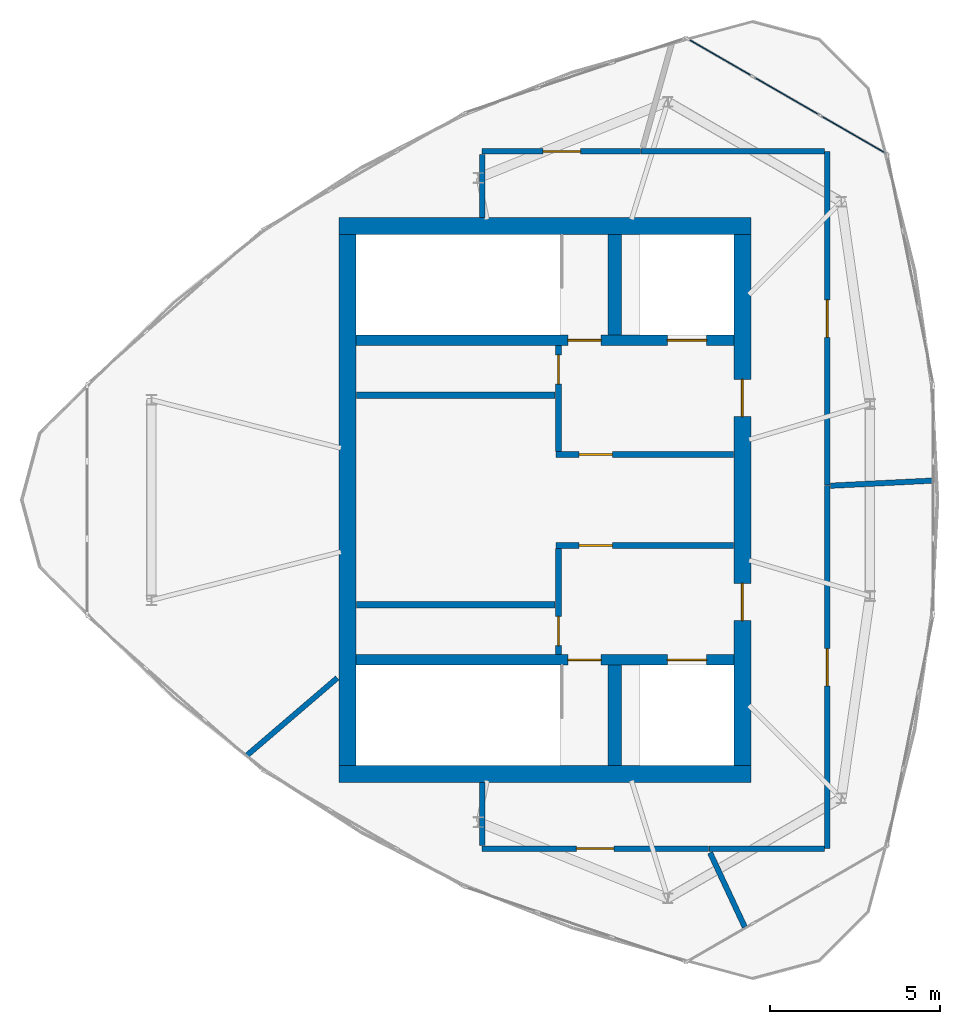
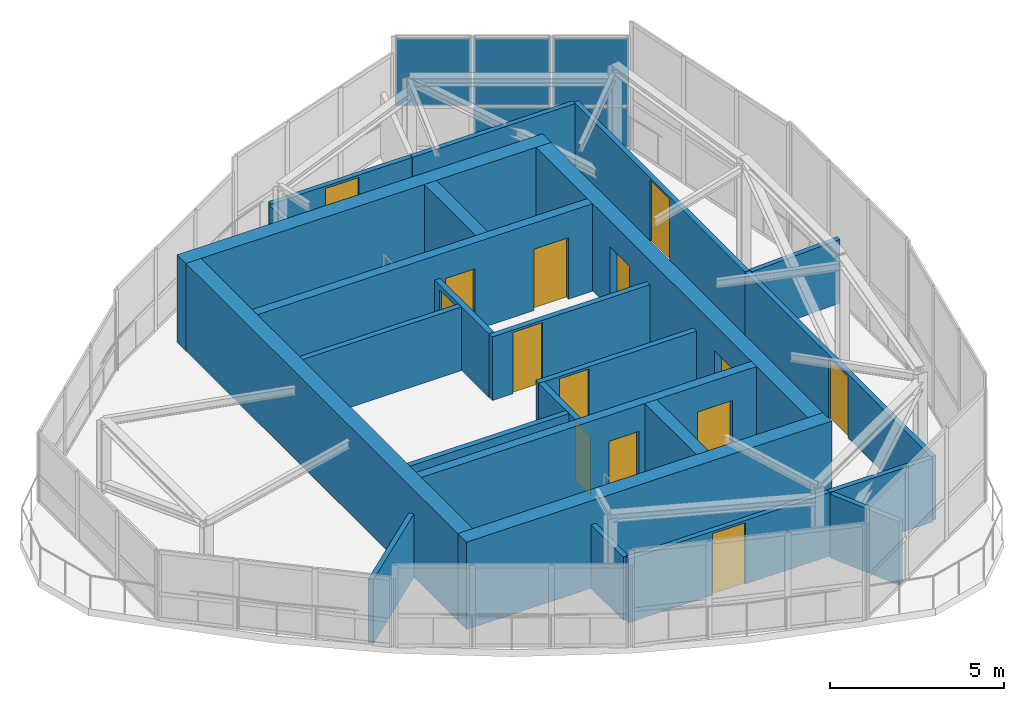
# One storey, part 7 of 9: 25 walls, 14 doors, 5 plates, 14 openings, 1 element without a shape of its own.
"""IFC4 building model written with IfcOpenShell, lengths in metres."""

from ifc_helpers import new_model, si_unit, direction, frame, frame_2d, origin, origin_2d, place, context, subcontext, project, spatial, rectangle, extrude, source, transform, mapped, material, layer, layer_set, type_object, element, fill, aggregate, save


model = new_model("IFC4")

# Units and contexts
model_context = context("Model", 3, precision=1e-05, world=origin(), true_north=direction((0.0, 1.0)))
body_context = subcontext(model_context, "Body", "Model", "MODEL_VIEW")
ifc_project = project(units=[si_unit("LENGTHUNIT", "METRE"), si_unit("AREAUNIT", "SQUARE_METRE"), si_unit("VOLUMEUNIT", "CUBIC_METRE"), si_unit("PLANEANGLEUNIT", "RADIAN"), si_unit("MASSUNIT", "GRAM", prefix="KILO")], contexts=[model_context])

# Site, building, storey
site_placement = place(None, origin())
site = spatial("IfcSite", under=ifc_project, at=site_placement, CompositionType="ELEMENT")
building_placement = place(site_placement, origin())
building = spatial("IfcBuilding", under=site, at=building_placement, Name="Qafzar Sky-Pleat Residences", CompositionType="ELEMENT")
storey_placement = place(building_placement, frame((0.0, 0.0, 274.699951171875)))
storey = spatial("IfcBuildingStorey", under=building, at=storey_placement, Name="L81 Crown", CompositionType="ELEMENT", Elevation=274.699951171875)

# Curtain wall, plates
ifc_material_1 = material(Name="Anodised bronze aluminium framing", Category="aluminium")
ifc_layer_1 = layer(ifc_material_1, 0.179931640625)
ifc_layer_set_1 = layer_set([ifc_layer_1], Name="Anodised bronze aluminium framing")
curtain_wall_type = type_object("IfcCurtainWallType", Name="CW-SYS-06", PredefinedType="NOTDEFINED", material=ifc_layer_set_1)
curtain_wall_placement = place(storey_placement, origin())
curtain_wall = element("IfcCurtainWall", 1, at=curtain_wall_placement, inside=storey, type_object=curtain_wall_type, Name="L81 Crown CW-06 Curtain Wall CW-CROWN-06-09", PredefinedType="NOTDEFINED")
ifc_material_2 = material(Name="Solar-control double low-E glazing", Category="glass")
ifc_layer_2 = layer(ifc_material_2, 0.02587890625)
ifc_layer_set_2 = layer_set([ifc_layer_2], Name="Solar-control double low-E glazing")
plate_type = type_object("IfcPlateType", Name="CWP-06", PredefinedType="CURTAIN_PANEL", material=ifc_layer_set_2)
shared_shape_1 = source(origin(), body_context, "Body", "SweptSolid", [
    extrude(rectangle(XDim=2.18701171875, YDim=0.02587890625, at=origin_2d()), origin(), (0.0, 0.0, 1.0), 1.40869140625),
])
plate_1_placement = place(storey_placement, frame((39.416259765625, 36.74609375, 0.06005859375), z_axis=(0.0, 0.0, 1.0), x_axis=(-0.866025669537, 0.499999539703, 0.0)))
plate_1 = element("IfcPlate", 2, at=plate_1_placement, type_object=plate_type, Name="CW-06 panel 1.1", PredefinedType="CURTAIN_PANEL", context=body_context, shape_type="MappedRepresentation", body=[
    mapped(shared_shape_1, transform((0.0, 0.0, 0.0), x_axis=(1.0, 0.0, 0.0), y_axis=(0.0, 1.0, 0.0), z_axis=(0.0, 0.0, 1.0), scale=1.0)),
])
shared_shape_2 = source(origin(), body_context, "Body", "SweptSolid", [
    extrude(rectangle(XDim=2.18701171875, YDim=0.02587890625, at=origin_2d()), origin(), (0.0, 0.0, 1.0), 2.355224609375),
])
plate_2_placement = place(storey_placement, frame((39.416259765625, 36.74609375, 1.52880859375), z_axis=(0.0, 0.0, 1.0), x_axis=(-0.866025669537, 0.499999539703, 0.0)))
plate_2 = element("IfcPlate", 3, at=plate_2_placement, type_object=plate_type, Name="CW-06 panel 1.2", PredefinedType="CURTAIN_PANEL", context=body_context, shape_type="MappedRepresentation", body=[
    mapped(shared_shape_2, transform((0.0, 0.0, 0.0), x_axis=(1.0, 0.0, 0.0), y_axis=(0.0, 1.0, 0.0), z_axis=(0.0, 0.0, 1.0), scale=1.0)),
])
plate_3_placement = place(storey_placement, frame((35.498291015625, 39.008056640625, 1.52880859375), z_axis=(0.0, 0.0, 1.0), x_axis=(-0.866025669537, 0.499999539703, 0.0)))
plate_3 = element("IfcPlate", 4, at=plate_3_placement, type_object=plate_type, Name="CW-06 panel 3.2", PredefinedType="CURTAIN_PANEL", context=body_context, shape_type="MappedRepresentation", body=[
    mapped(shared_shape_2, transform((0.0, 0.0, 0.0), x_axis=(1.0, 0.0, 0.0), y_axis=(0.0, 1.0, 0.0), z_axis=(0.0, 0.0, 1.0), scale=1.0)),
])
shared_shape_3 = source(origin(), body_context, "Body", "SweptSolid", [
    extrude(rectangle(XDim=2.217041015625, YDim=0.02587890625, at=origin_2d()), origin(), (0.0, 0.0, 1.0), 1.40869140625),
])
plate_4_placement = place(storey_placement, frame((37.457275390625, 37.877197265625, 0.06005859375), z_axis=(0.0, 0.0, 1.0), x_axis=(-0.866025669537, 0.499999539703, 0.0)))
plate_4 = element("IfcPlate", 5, at=plate_4_placement, type_object=plate_type, Name="CW-06 panel 2.1", PredefinedType="CURTAIN_PANEL", context=body_context, shape_type="MappedRepresentation", body=[
    mapped(shared_shape_3, transform((0.0, 0.0, 0.0), x_axis=(1.0, 0.0, 0.0), y_axis=(0.0, 1.0, 0.0), z_axis=(0.0, 0.0, 1.0), scale=1.0)),
])
shared_shape_4 = source(origin(), body_context, "Body", "SweptSolid", [
    extrude(rectangle(XDim=2.217041015625, YDim=0.02587890625, at=origin_2d()), origin(), (0.0, 0.0, 1.0), 2.355224609375),
])
plate_5_placement = place(storey_placement, frame((37.457275390625, 37.877197265625, 1.52880859375), z_axis=(0.0, 0.0, 1.0), x_axis=(-0.866025669537, 0.499999539703, 0.0)))
plate_5 = element("IfcPlate", 6, at=plate_5_placement, type_object=plate_type, Name="CW-06 panel 2.2", PredefinedType="CURTAIN_PANEL", context=body_context, shape_type="MappedRepresentation", body=[
    mapped(shared_shape_4, transform((0.0, 0.0, 0.0), x_axis=(1.0, 0.0, 0.0), y_axis=(0.0, 1.0, 0.0), z_axis=(0.0, 0.0, 1.0), scale=1.0)),
])
aggregate(curtain_wall, [plate_1, plate_2, plate_4, plate_5, plate_3])

# Wall, opening, door
ifc_material_3 = material(Name="Acoustic gypsum plasterboard partition", Category="gypsum")
ifc_layer_3 = layer(ifc_material_3, 0.159912109375)
ifc_layer_set_3 = layer_set([ifc_layer_3], Name="Acoustic gypsum plasterboard partition")
wall_type_1 = type_object("IfcWallType", Name="PART-COR-160", PredefinedType="PARTITIONING", material=ifc_layer_set_3)
wall_1_placement = place(storey_placement, frame((38.64990234375, 26.429931640625, 0.0), z_axis=(0.0, 0.0, 1.0), x_axis=(0.0, -1.0, 0.0)))
wall_1 = element("IfcWall", 7, at=wall_1_placement, inside=storey, type_object=wall_type_1, Name="L81 Crown Partition Wall PART-L81_Crown-PW-001", PredefinedType="PARTITIONING", context=body_context, shape_type="SweptSolid", body=[
    extrude(rectangle(XDim=10.679931640625, YDim=0.159912109375, at=frame_2d((5.33984375, 0.0))), origin(), (0.0, 0.0, 1.0), 2.23046875),
])
opening_1_placement = place(wall_1_placement, frame((4.797607421875, 0.0, 0.0)))
opening_1 = element("IfcOpeningElement", 8, at=opening_1_placement, cuts=wall_1, Name="Opening ID-02", PredefinedType="OPENING", context=body_context, shape_type="SweptSolid", body=[
    extrude(rectangle(XDim=1.10009765625, YDim=2.14990234375, at=frame_2d((0.550048828125, 1.074951171875))), frame((0.0, 0.08984375, 0.0), z_axis=(0.0, -1.0, 0.0), x_axis=(1.0, 0.0, 0.0)), (0.0, 0.0, 1.0), 0.179931640625),
])
ifc_material_4 = material(Name="Timber-faced fire door", Category="wood")
door_type_1 = type_object("IfcDoorType", Name="DR-FFL-1100", OperationType="NOTDEFINED", PredefinedType="DOOR", material=ifc_material_4)
shared_shape_5 = source(origin(), body_context, "Body", "SweptSolid", [
    extrude(rectangle(XDim=1.10009765625, YDim=2.14990234375, at=frame_2d((0.550048828125, 1.074951171875))), frame((0.0, 0.02490234375, 0.0), z_axis=(0.0, -1.0, 0.0), x_axis=(1.0, 0.0, 0.0)), (0.0, 0.0, 1.0), 0.050048828125),
])
door_1_placement = place(opening_1_placement, origin())
door_1 = element("IfcDoor", 9, at=door_1_placement, inside=storey, type_object=door_type_1, Name="L81 Crown Crown BMS and Telemetry Mechanical Room Door", OperationType="SINGLE_SWING_RIGHT", OverallHeight=2.14990234375, OverallWidth=1.10009765625, PredefinedType="DOOR", context=body_context, shape_type="MappedRepresentation", body=[
    mapped(shared_shape_5, transform((0.0, 0.0, 0.0), x_axis=(1.0, 0.0, 0.0), y_axis=(0.0, 1.0, 0.0), z_axis=(0.0, 0.0, 1.0), scale=1.0)),
])
fill(opening_1, door_1)

wall_2_placement = place(storey_placement, frame((38.64990234375, 36.25, 0.0), z_axis=(0.0, 0.0, 1.0), x_axis=(0.0, -1.0, 0.0)))
wall_2 = element("IfcWall", 10, at=wall_2_placement, inside=storey, type_object=wall_type_1, Name="L81 Crown Partition Wall PART-L81_Crown-PW-002", PredefinedType="PARTITIONING", context=body_context, shape_type="SweptSolid", body=[
    extrude(rectangle(XDim=9.804931640625, YDim=0.159912109375, at=frame_2d((4.90234375, 0.0))), origin(), (0.0, 0.0, 1.0), 2.23046875),
])
opening_2_placement = place(wall_2_placement, frame((4.367431640625, 0.0, 0.0)))
opening_2 = element("IfcOpeningElement", 11, at=opening_2_placement, cuts=wall_2, Name="Opening ID-02", PredefinedType="OPENING", context=body_context, shape_type="SweptSolid", body=[
    extrude(rectangle(XDim=1.10009765625, YDim=2.14990234375, at=frame_2d((0.550048828125, 1.074951171875))), frame((0.0, 0.08984375, 0.0), z_axis=(0.0, -1.0, 0.0), x_axis=(1.0, 0.0, 0.0)), (0.0, 0.0, 1.0), 0.179931640625),
])
door_2_placement = place(opening_2_placement, origin())
door_2 = element("IfcDoor", 12, at=door_2_placement, inside=storey, type_object=door_type_1, Name="L81 Crown Crown Emergency Standby Switchgear Plant Room Door", OperationType="SINGLE_SWING_LEFT", OverallHeight=2.14990234375, OverallWidth=1.10009765625, PredefinedType="DOOR", context=body_context, shape_type="MappedRepresentation", body=[
    mapped(shared_shape_5, transform((0.0, 0.0, 0.0), x_axis=(1.0, 0.0, 0.0), y_axis=(0.0, 1.0, 0.0), z_axis=(0.0, 0.0, 1.0), scale=1.0)),
])
fill(opening_2, door_2)

wall_3_placement = place(storey_placement, frame((28.5, 15.75, 0.0), z_axis=(0.0, 0.0, 1.0), x_axis=(1.0, 0.0, 0.0)))
wall_3 = element("IfcWall", 13, at=wall_3_placement, inside=storey, type_object=wall_type_1, Name="L81 Crown Partition Wall PART-L81_Crown-PW-003", PredefinedType="PARTITIONING", context=body_context, shape_type="SweptSolid", body=[
    extrude(rectangle(XDim=6.662109375, YDim=0.159912109375, at=frame_2d((3.3310546875, 0.0))), origin(), (0.0, 0.0, 1.0), 2.23046875),
])
opening_3_placement = place(wall_3_placement, frame((2.77294921875, 0.0, 0.0)))
opening_3 = element("IfcOpeningElement", 14, at=opening_3_placement, cuts=wall_3, Name="Opening ID-02", PredefinedType="OPENING", context=body_context, shape_type="SweptSolid", body=[
    extrude(rectangle(XDim=1.10009765625, YDim=2.14990234375, at=frame_2d((0.550048828125, 1.074951171875))), frame((0.0, 0.08984375, 0.0), z_axis=(0.0, -1.0, 0.0), x_axis=(1.0, 0.0, 0.0)), (0.0, 0.0, 1.0), 0.179931640625),
])
door_3_placement = place(opening_3_placement, origin())
door_3 = element("IfcDoor", 15, at=door_3_placement, inside=storey, type_object=door_type_1, Name="L81 Crown Crown Faceted Curtain-Wall Maintenance Plant Room Door", OperationType="SINGLE_SWING_RIGHT", OverallHeight=2.14990234375, OverallWidth=1.10009765625, PredefinedType="DOOR", context=body_context, shape_type="MappedRepresentation", body=[
    mapped(shared_shape_5, transform((0.0, 0.0, 0.0), x_axis=(1.0, 0.0, 0.0), y_axis=(0.0, 1.0, 0.0), z_axis=(0.0, 0.0, 1.0), scale=1.0)),
])
fill(opening_3, door_3)

wall_4_placement = place(storey_placement, frame((33.1650390625, 36.25, 0.0), z_axis=(0.0, 0.0, 1.0), x_axis=(-1.0, 0.0, 0.0)))
wall_4 = element("IfcWall", 16, at=wall_4_placement, inside=storey, type_object=wall_type_1, Name="L81 Crown Partition Wall PART-L81_Crown-PW-004", PredefinedType="PARTITIONING", context=body_context, shape_type="SweptSolid", body=[
    extrude(rectangle(XDim=4.6650390625, YDim=0.159912109375, at=frame_2d((2.33251953125, 0.0))), origin(), (0.0, 0.0, 1.0), 2.23046875),
])
opening_4_placement = place(wall_4_placement, frame((1.76708984375, 0.0, 0.0)))
opening_4 = element("IfcOpeningElement", 17, at=opening_4_placement, cuts=wall_4, Name="Opening ID-02", PredefinedType="OPENING", context=body_context, shape_type="SweptSolid", body=[
    extrude(rectangle(XDim=1.10009765625, YDim=2.14990234375, at=frame_2d((0.550048828125, 1.074951171875))), frame((0.0, 0.08984375, 0.0), z_axis=(0.0, -1.0, 0.0), x_axis=(1.0, 0.0, 0.0)), (0.0, 0.0, 1.0), 0.179931640625),
])
door_4_placement = place(opening_4_placement, origin())
door_4 = element("IfcDoor", 18, at=door_4_placement, inside=storey, type_object=door_type_1, Name="L81 Crown Crown Cooling Tower and Heat Recovery Plant Room Door", OperationType="SINGLE_SWING_LEFT", OverallHeight=2.14990234375, OverallWidth=1.10009765625, PredefinedType="DOOR", context=body_context, shape_type="MappedRepresentation", body=[
    mapped(shared_shape_5, transform((0.0, 0.0, 0.0), x_axis=(1.0, 0.0, 0.0), y_axis=(0.0, 1.0, 0.0), z_axis=(0.0, 0.0, 1.0), scale=1.0)),
])
fill(opening_4, door_4)

# Walls
wall_5_placement = place(storey_placement, frame((33.179931640625, 36.25, 0.0), z_axis=(0.0, 0.0, 1.0), x_axis=(1.0, 0.0, 0.0)))
element("IfcWall", 19, at=wall_5_placement, inside=storey, type_object=wall_type_1, Name="L81 Crown Partition Wall PART-L81_Crown-PW-005", PredefinedType="PARTITIONING", context=body_context, shape_type="SweptSolid", body=[
    extrude(rectangle(XDim=5.382080078125, YDim=0.159912109375, at=frame_2d((2.69091796875, 0.0))), origin(), (0.0, 0.0, 1.0), 2.23046875),
])
wall_6_placement = place(storey_placement, frame((21.584716796875, 18.490478515625, 0.0), z_axis=(0.0, 0.0, 1.0), x_axis=(0.75939941165, 0.650624725619, 0.0)))
element("IfcWall", 20, at=wall_6_placement, inside=storey, type_object=wall_type_1, Name="L81 Crown Partition Wall PART-L81_Crown-PW-006", PredefinedType="PARTITIONING", context=body_context, shape_type="SweptSolid", body=[
    extrude(rectangle(XDim=3.4990234375, YDim=0.159912109375, at=frame_2d((1.74951171875, 0.0))), origin(), (0.0, 0.0, 1.0), 2.23046875),
])
wall_7_placement = place(storey_placement, frame((35.177001953125, 15.75, 0.0), z_axis=(0.0, 0.0, 1.0), x_axis=(1.0, 0.0, 0.0)))
element("IfcWall", 21, at=wall_7_placement, inside=storey, type_object=wall_type_1, Name="L81 Crown Partition Wall PART-L81_Crown-PW-007", PredefinedType="PARTITIONING", context=body_context, shape_type="SweptSolid", body=[
    extrude(rectangle(XDim=3.385009765625, YDim=0.159912109375, at=frame_2d((1.6923828125, 0.0))), origin(), (0.0, 0.0, 1.0), 2.23046875),
])
wall_8_placement = place(storey_placement, frame((38.741943359375, 26.419677734375, 0.0), z_axis=(0.0, 0.0, 1.0), x_axis=(0.998747676097, 0.050030785433, 0.0)))
element("IfcWall", 22, at=wall_8_placement, inside=storey, type_object=wall_type_1, Name="L81 Crown Partition Wall PART-L81_Crown-PW-009", PredefinedType="PARTITIONING", context=body_context, shape_type="SweptSolid", body=[
    extrude(rectangle(XDim=3.005859375, YDim=0.159912109375, at=frame_2d((1.5029296875, 0.0))), origin(), (0.0, 0.0, 1.0), 2.23046875),
])
wall_9_placement = place(storey_placement, frame((35.20263671875, 15.62890625, 0.0), z_axis=(0.0, 0.0, 1.0), x_axis=(0.423632901081, -0.905833961122, 0.0)))
element("IfcWall", 23, at=wall_9_placement, inside=storey, type_object=wall_type_1, Name="L81 Crown Partition Wall PART-L81_Crown-PW-010", PredefinedType="PARTITIONING", context=body_context, shape_type="SweptSolid", body=[
    extrude(rectangle(XDim=2.41357421875, YDim=0.159912109375, at=frame_2d((1.206787109375, 0.0))), origin(), (0.0, 0.0, 1.0), 2.23046875),
])
for number, where, z_axis, x_axis, name in (
    (24, (28.5, 34.30810546875, 0.0), (0.0, 0.0, 1.0), (0.0, 1.0, 0.0), "L81 Crown Partition Wall PART-L81_Crown-PW-011"),
    (25, (28.5, 15.837890625, 0.0), (0.0, 0.0, 1.0), (0.0, 1.0, 0.0), "L81 Crown Partition Wall PART-L81_Crown-PW-012"),
):
    element("IfcWall", number, at=place(storey_placement, frame(where, z_axis=z_axis, x_axis=x_axis)), inside=storey, type_object=wall_type_1, Name=name, PredefinedType="PARTITIONING", context=body_context, shape_type="SweptSolid", body=[
        extrude(rectangle(XDim=1.85400390625, YDim=0.159912109375, at=frame_2d((0.927001953125, 0.0))), origin(), (0.0, 0.0, 1.0), 2.23046875),
    ])

# Wall, opening, door
ifc_material_5 = material(Name="Concrete blockwork partition", Category="masonry")
ifc_layer_4 = layer(ifc_material_5, 0.179931640625)
ifc_layer_set_4 = layer_set([ifc_layer_4], Name="Concrete blockwork partition")
wall_type_2 = type_object("IfcWallType", Name="PART-SHAFT-180", PredefinedType="PARTITIONING", material=ifc_layer_set_4)
wall_10_placement = place(storey_placement, frame((30.75, 21.4599609375, 0.0), z_axis=(0.0, 0.0, 1.0), x_axis=(0.0, 1.0, 0.0)))
wall_10 = element("IfcWall", 26, at=wall_10_placement, inside=storey, type_object=wall_type_2, Name="L81 Crown Partition Wall PART-L81_Crown-FFL1-W", PredefinedType="PARTITIONING", context=body_context, shape_type="SweptSolid", body=[
    extrude(rectangle(XDim=3.110107421875, YDim=0.179931640625, at=frame_2d((1.55517578125, 0.0))), origin(), (0.0, 0.0, 1.0), 2.23046875),
])
opening_5_placement = place(wall_10_placement, frame((0.260009765625, 0.0, 0.0)))
opening_5 = element("IfcOpeningElement", 27, at=opening_5_placement, cuts=wall_10, Name="Opening ID-09", PredefinedType="OPENING", context=body_context, shape_type="SweptSolid", body=[
    extrude(rectangle(XDim=0.860107421875, YDim=2.050048828125, at=frame_2d((0.43017578125, 1.02490234375))), frame((0.0, 0.10009765625, 0.0), z_axis=(0.0, -1.0, 0.0), x_axis=(1.0, 0.0, 0.0)), (0.0, 0.0, 1.0), 0.199951171875),
])
door_type_2 = type_object("IfcDoorType", Name="DR-SVC-860", OperationType="NOTDEFINED", PredefinedType="DOOR", material=ifc_material_4)
shared_shape_6 = source(origin(), body_context, "Body", "SweptSolid", [
    extrude(rectangle(XDim=0.860107421875, YDim=2.050048828125, at=frame_2d((0.43017578125, 1.02490234375))), frame((0.0, 0.02490234375, 0.0), z_axis=(0.0, -1.0, 0.0), x_axis=(1.0, 0.0, 0.0)), (0.0, 0.0, 1.0), 0.050048828125),
])
door_5_placement = place(opening_5_placement, origin())
door_5 = element("IfcDoor", 28, at=door_5_placement, inside=storey, type_object=door_type_2, Name="L81 Crown South Core Cupboard Door", OperationType="SINGLE_SWING_RIGHT", OverallHeight=2.050048828125, OverallWidth=0.860107421875, PredefinedType="DOOR", context=body_context, shape_type="MappedRepresentation", body=[
    mapped(shared_shape_6, transform((0.0, 0.0, 0.0), x_axis=(1.0, 0.0, 0.0), y_axis=(0.0, 1.0, 0.0), z_axis=(0.0, 0.0, 1.0), scale=1.0)),
])
fill(opening_5, door_5)

wall_11_placement = place(storey_placement, frame((30.669921875, 24.659912109375, 0.0), z_axis=(0.0, 0.0, 1.0), x_axis=(1.0, 0.0, 0.0)))
wall_11 = element("IfcWall", 29, at=wall_11_placement, inside=storey, type_object=wall_type_2, Name="L81 Crown Partition Wall PART-L81_Crown-FFL1-N", PredefinedType="PARTITIONING", context=body_context, shape_type="SweptSolid", body=[
    extrude(rectangle(XDim=5.219970703125, YDim=0.179931640625, at=frame_2d((2.60986328125, 0.0))), origin(), (0.0, 0.0, 1.0), 2.23046875),
])
opening_6_placement = place(wall_11_placement, frame((0.679931640625, 0.0, 0.0)))
opening_6 = element("IfcOpeningElement", 30, at=opening_6_placement, cuts=wall_11, Name="Opening ID-01", PredefinedType="OPENING", context=body_context, shape_type="SweptSolid", body=[
    extrude(rectangle(XDim=0.97998046875, YDim=2.14990234375, at=frame_2d((0.489990234375, 1.074951171875))), frame((0.0, 0.10009765625, 0.0), z_axis=(0.0, -1.0, 0.0), x_axis=(1.0, 0.0, 0.0)), (0.0, 0.0, 1.0), 0.199951171875),
])
door_type_3 = type_object("IfcDoorType", Name="DR-STAIR-980", OperationType="NOTDEFINED", PredefinedType="DOOR", material=ifc_material_4)
shared_shape_7 = source(origin(), body_context, "Body", "SweptSolid", [
    extrude(rectangle(XDim=0.97998046875, YDim=2.14990234375, at=frame_2d((0.489990234375, 1.074951171875))), frame((0.0, 0.02490234375, 0.0), z_axis=(0.0, -1.0, 0.0), x_axis=(1.0, 0.0, 0.0)), (0.0, 0.0, 1.0), 0.050048828125),
])
door_6_placement = place(opening_6_placement, origin())
door_6 = element("IfcDoor", 31, at=door_6_placement, inside=storey, type_object=door_type_3, Name="L81 Crown Lift Lobby to South Firefighting Lobby Door", OperationType="SINGLE_SWING_LEFT", OverallHeight=2.14990234375, OverallWidth=0.97998046875, PredefinedType="DOOR", context=body_context, shape_type="MappedRepresentation", body=[
    mapped(shared_shape_7, transform((0.0, 0.0, 0.0), x_axis=(1.0, 0.0, 0.0), y_axis=(0.0, 1.0, 0.0), z_axis=(0.0, 0.0, 1.0), scale=1.0)),
])
fill(opening_6, door_6)

wall_12_placement = place(storey_placement, frame((30.75, 27.429931640625, 0.0), z_axis=(0.0, 0.0, 1.0), x_axis=(0.0, 1.0, 0.0)))
wall_12 = element("IfcWall", 32, at=wall_12_placement, inside=storey, type_object=wall_type_2, Name="L81 Crown Partition Wall PART-L81_Crown-FFL2-W", PredefinedType="PARTITIONING", context=body_context, shape_type="SweptSolid", body=[
    extrude(rectangle(XDim=3.110107421875, YDim=0.179931640625, at=frame_2d((1.55517578125, 0.0))), origin(), (0.0, 0.0, 1.0), 2.23046875),
])
opening_7_placement = place(wall_12_placement, frame((1.97998046875, 0.0, 0.0)))
opening_7 = element("IfcOpeningElement", 33, at=opening_7_placement, cuts=wall_12, Name="Opening ID-09", PredefinedType="OPENING", context=body_context, shape_type="SweptSolid", body=[
    extrude(rectangle(XDim=0.860107421875, YDim=2.050048828125, at=frame_2d((0.43017578125, 1.02490234375))), frame((0.0, 0.10009765625, 0.0), z_axis=(0.0, -1.0, 0.0), x_axis=(1.0, 0.0, 0.0)), (0.0, 0.0, 1.0), 0.199951171875),
])
door_7_placement = place(opening_7_placement, origin())
door_7 = element("IfcDoor", 34, at=door_7_placement, inside=storey, type_object=door_type_2, Name="L81 Crown North Core Cupboard Door", OperationType="SINGLE_SWING_RIGHT", OverallHeight=2.050048828125, OverallWidth=0.860107421875, PredefinedType="DOOR", context=body_context, shape_type="MappedRepresentation", body=[
    mapped(shared_shape_6, transform((0.0, 0.0, 0.0), x_axis=(1.0, 0.0, 0.0), y_axis=(0.0, 1.0, 0.0), z_axis=(0.0, 0.0, 1.0), scale=1.0)),
])
fill(opening_7, door_7)

wall_13_placement = place(storey_placement, frame((30.669921875, 27.340087890625, 0.0), z_axis=(0.0, 0.0, 1.0), x_axis=(1.0, 0.0, 0.0)))
wall_13 = element("IfcWall", 35, at=wall_13_placement, inside=storey, type_object=wall_type_2, Name="L81 Crown Partition Wall PART-L81_Crown-FFL2-S", PredefinedType="PARTITIONING", context=body_context, shape_type="SweptSolid", body=[
    extrude(rectangle(XDim=5.219970703125, YDim=0.179931640625, at=frame_2d((2.60986328125, 0.0))), origin(), (0.0, 0.0, 1.0), 2.23046875),
])
opening_8_placement = place(wall_13_placement, frame((0.679931640625, 0.0, 0.0)))
opening_8 = element("IfcOpeningElement", 36, at=opening_8_placement, cuts=wall_13, Name="Opening ID-01", PredefinedType="OPENING", context=body_context, shape_type="SweptSolid", body=[
    extrude(rectangle(XDim=0.97998046875, YDim=2.14990234375, at=frame_2d((0.489990234375, 1.074951171875))), frame((0.0, 0.10009765625, 0.0), z_axis=(0.0, -1.0, 0.0), x_axis=(1.0, 0.0, 0.0)), (0.0, 0.0, 1.0), 0.199951171875),
])
door_8_placement = place(opening_8_placement, origin())
door_8 = element("IfcDoor", 37, at=door_8_placement, inside=storey, type_object=door_type_3, Name="L81 Crown Lift Lobby to North Firefighting Lobby Door", OperationType="SINGLE_SWING_LEFT", OverallHeight=2.14990234375, OverallWidth=0.97998046875, PredefinedType="DOOR", context=body_context, shape_type="MappedRepresentation", body=[
    mapped(shared_shape_7, transform((0.0, 0.0, 0.0), x_axis=(1.0, 0.0, 0.0), y_axis=(0.0, 1.0, 0.0), z_axis=(0.0, 0.0, 1.0), scale=1.0)),
])
fill(opening_8, door_8)

# Walls
for number, where, z_axis, x_axis, name in (
    (38, (24.81005859375, 22.919921875, 0.0), (0.0, 0.0, 1.0), (1.0, 0.0, 0.0), "L81 Crown Partition Wall PART-L81_Crown-P13-S"),
    (39, (24.81005859375, 29.080078125, 0.0), (0.0, 0.0, 1.0), (1.0, 0.0, 0.0), "L81 Crown Partition Wall PART-L81_Crown-P46-N"),
):
    element("IfcWall", number, at=place(storey_placement, frame(where, z_axis=z_axis, x_axis=x_axis)), inside=storey, type_object=wall_type_2, Name=name, PredefinedType="PARTITIONING", context=body_context, shape_type="SweptSolid", body=[
        extrude(rectangle(XDim=5.83984375, YDim=0.179931640625, at=frame_2d((2.919921875, 0.0))), origin(), (0.0, 0.0, 1.0), 2.23046875),
    ])

# Wall, openings, doors
ifc_material_6 = material(Name="Concrete C60/75", Category="concrete")
ifc_layer_5 = layer(ifc_material_6, 0.300048828125)
ifc_layer_set_5 = layer_set([ifc_layer_5], Name="Concrete C60/75")
wall_type_3 = type_object("IfcWallType", Name="WALL-SHEAR-300", PredefinedType="SHEAR", material=ifc_layer_set_5)
wall_14_placement = place(storey_placement, frame((24.800048828125, 21.300048828125, 0.0), z_axis=(0.0, 0.0, 1.0), x_axis=(1.0, 0.0, 0.0)))
wall_14 = element("IfcWall", 40, at=wall_14_placement, inside=storey, type_object=wall_type_3, Name="L81 Crown Stair ST1 and FF1 Shaft North Wall", PredefinedType="SHEAR", context=body_context, shape_type="SweptSolid", body=[
    extrude(rectangle(XDim=11.099853515625, YDim=0.300048828125, at=frame_2d((5.5498046875, 0.0))), origin(), (0.0, 0.0, 1.0), 3.061767578125),
])
opening_9_placement = place(wall_14_placement, frame((6.219970703125, 0.0, 0.0)))
opening_9 = element("IfcOpeningElement", 41, at=opening_9_placement, cuts=wall_14, Name="Opening ID-01", PredefinedType="OPENING", context=body_context, shape_type="SweptSolid", body=[
    extrude(rectangle(XDim=0.97998046875, YDim=2.14990234375, at=frame_2d((0.489990234375, 1.074951171875))), frame((0.0, 0.16015625, 0.0), z_axis=(0.0, -1.0, 0.0), x_axis=(1.0, 0.0, 0.0)), (0.0, 0.0, 1.0), 0.320068359375),
])
opening_10_placement = place(wall_14_placement, frame((9.14990234375, 0.0, 0.0)))
opening_10 = element("IfcOpeningElement", 42, at=opening_10_placement, cuts=wall_14, Name="Opening LD-02", PredefinedType="OPENING", context=body_context, shape_type="SweptSolid", body=[
    extrude(rectangle(XDim=1.14990234375, YDim=2.14990234375, at=frame_2d((0.574951171875, 1.074951171875))), frame((0.0, 0.16015625, 0.0), z_axis=(0.0, -1.0, 0.0), x_axis=(1.0, 0.0, 0.0)), (0.0, 0.0, 1.0), 0.320068359375),
])
door_9_placement = place(opening_9_placement, origin())
door_9 = element("IfcDoor", 43, at=door_9_placement, inside=storey, type_object=door_type_3, Name="L81 Crown Stair ST1 Fire Door", OperationType="SINGLE_SWING_RIGHT", OverallHeight=2.14990234375, OverallWidth=0.97998046875, PredefinedType="DOOR", context=body_context, shape_type="MappedRepresentation", body=[
    mapped(shared_shape_7, transform((0.0, 0.0, 0.0), x_axis=(1.0, 0.0, 0.0), y_axis=(0.0, 1.0, 0.0), z_axis=(0.0, 0.0, 1.0), scale=1.0)),
])
fill(opening_9, door_9)
ifc_material_7 = material(Name="Stainless steel sliding landing door", Category="steel")
door_type_4 = type_object("IfcDoorType", Name="DR-LIFT-FF", OperationType="DOUBLE_DOOR_SLIDING", PredefinedType="DOOR", material=ifc_material_7)
shared_shape_8 = source(origin(), body_context, "Body", "SweptSolid", [
    extrude(rectangle(XDim=1.14990234375, YDim=2.14990234375, at=frame_2d((0.574951171875, 1.074951171875))), frame((0.0, 0.02490234375, 0.0), z_axis=(0.0, -1.0, 0.0), x_axis=(1.0, 0.0, 0.0)), (0.0, 0.0, 1.0), 0.050048828125),
])
door_10_placement = place(opening_10_placement, origin())
door_10 = element("IfcDoor", 44, at=door_10_placement, inside=storey, type_object=door_type_4, Name="L81 Crown Firefighting Lift FF1 Landing Door", OperationType="DOUBLE_DOOR_SLIDING", OverallHeight=2.14990234375, OverallWidth=1.14990234375, PredefinedType="DOOR", context=body_context, shape_type="MappedRepresentation", body=[
    mapped(shared_shape_8, transform((0.0, 0.0, 0.0), x_axis=(1.0, 0.0, 0.0), y_axis=(0.0, 1.0, 0.0), z_axis=(0.0, 0.0, 1.0), scale=1.0)),
])
fill(opening_10, door_10)

wall_15_placement = place(storey_placement, frame((24.800048828125, 30.699951171875, 0.0), z_axis=(0.0, 0.0, 1.0), x_axis=(1.0, 0.0, 0.0)))
wall_15 = element("IfcWall", 45, at=wall_15_placement, inside=storey, type_object=wall_type_3, Name="L81 Crown Stair ST2 and FF2 Shaft South Wall", PredefinedType="SHEAR", context=body_context, shape_type="SweptSolid", body=[
    extrude(rectangle(XDim=11.099853515625, YDim=0.300048828125, at=frame_2d((5.5498046875, 0.0))), origin(), (0.0, 0.0, 1.0), 3.061767578125),
])
opening_11_placement = place(wall_15_placement, frame((6.219970703125, 0.0, 0.0)))
opening_11 = element("IfcOpeningElement", 46, at=opening_11_placement, cuts=wall_15, Name="Opening ID-01", PredefinedType="OPENING", context=body_context, shape_type="SweptSolid", body=[
    extrude(rectangle(XDim=0.97998046875, YDim=2.14990234375, at=frame_2d((0.489990234375, 1.074951171875))), frame((0.0, 0.16015625, 0.0), z_axis=(0.0, -1.0, 0.0), x_axis=(1.0, 0.0, 0.0)), (0.0, 0.0, 1.0), 0.320068359375),
])
opening_12_placement = place(wall_15_placement, frame((9.14990234375, 0.0, 0.0)))
opening_12 = element("IfcOpeningElement", 47, at=opening_12_placement, cuts=wall_15, Name="Opening LD-02", PredefinedType="OPENING", context=body_context, shape_type="SweptSolid", body=[
    extrude(rectangle(XDim=1.14990234375, YDim=2.14990234375, at=frame_2d((0.574951171875, 1.074951171875))), frame((0.0, 0.16015625, 0.0), z_axis=(0.0, -1.0, 0.0), x_axis=(1.0, 0.0, 0.0)), (0.0, 0.0, 1.0), 0.320068359375),
])
door_11_placement = place(opening_11_placement, origin())
door_11 = element("IfcDoor", 48, at=door_11_placement, inside=storey, type_object=door_type_3, Name="L81 Crown Stair ST2 Fire Door", OperationType="SINGLE_SWING_LEFT", OverallHeight=2.14990234375, OverallWidth=0.97998046875, PredefinedType="DOOR", context=body_context, shape_type="MappedRepresentation", body=[
    mapped(shared_shape_7, transform((0.0, 0.0, 0.0), x_axis=(1.0, 0.0, 0.0), y_axis=(0.0, 1.0, 0.0), z_axis=(0.0, 0.0, 1.0), scale=1.0)),
])
fill(opening_11, door_11)
door_12_placement = place(opening_12_placement, origin())
door_12 = element("IfcDoor", 49, at=door_12_placement, inside=storey, type_object=door_type_4, Name="L81 Crown Firefighting Lift FF2 Landing Door", OperationType="DOUBLE_DOOR_SLIDING", OverallHeight=2.14990234375, OverallWidth=1.14990234375, PredefinedType="DOOR", context=body_context, shape_type="MappedRepresentation", body=[
    mapped(shared_shape_8, transform((0.0, 0.0, 0.0), x_axis=(1.0, 0.0, 0.0), y_axis=(0.0, 1.0, 0.0), z_axis=(0.0, 0.0, 1.0), scale=1.0)),
])
fill(opening_12, door_12)

# Walls
ifc_layer_6 = layer(ifc_material_6, 0.39990234375)
ifc_layer_set_6 = layer_set([ifc_layer_6], Name="Concrete C60/75")
wall_type_4 = type_object("IfcWallType", Name="WALL-SHEAR-400", PredefinedType="SHEAR", material=ifc_layer_set_6)
for number, where, z_axis, x_axis, name in (
    (50, (32.39990234375, 18.199951171875, 0.0), (0.0, 0.0, 1.0), (0.0, 1.0, 0.0), "L81 Crown Stair ST1 East Dividing Wall"),
    (51, (32.39990234375, 30.85009765625, 0.0), (0.0, 0.0, 1.0), (0.0, 1.0, 0.0), "L81 Crown Stair ST2 East Dividing Wall"),
):
    element("IfcWall", number, at=place(storey_placement, frame(where, z_axis=z_axis, x_axis=x_axis)), inside=storey, type_object=wall_type_4, Name=name, PredefinedType="SHEAR", context=body_context, shape_type="SweptSolid", body=[
        extrude(rectangle(XDim=2.949951171875, YDim=0.39990234375, at=frame_2d((1.47509765625, 0.0))), origin(), (0.0, 0.0, 1.0), 3.061767578125),
    ])
ifc_layer_7 = layer(ifc_material_6, 0.5)
ifc_layer_set_7 = layer_set([ifc_layer_7], Name="Concrete C60/75")
wall_type_5 = type_object("IfcWallType", Name="WALL-SHEAR-500", PredefinedType="SHEAR", material=ifc_layer_set_7)
for number, where, z_axis, x_axis, name in (
    (52, (24.300048828125, 17.949951171875, 0.0), (0.0, 0.0, 1.0), (1.0, 0.0, 0.0), "L81 Crown CORE wall S"),
    (53, (36.39990234375, 34.050048828125, 0.0), (0.0, 0.0, 1.0), (-1.0, 0.0, 0.0), "L81 Crown CORE wall N"),
):
    element("IfcWall", number, at=place(storey_placement, frame(where, z_axis=z_axis, x_axis=x_axis)), inside=storey, type_object=wall_type_5, Name=name, PredefinedType="SHEAR", context=body_context, shape_type="SweptSolid", body=[
        extrude(rectangle(XDim=12.099853515625, YDim=0.5, at=frame_2d((6.0498046875, 0.0))), origin(), (0.0, 0.0, 1.0), 3.061767578125),
    ])
wall_16_placement = place(storey_placement, frame((24.550048828125, 33.800048828125, 0.0), z_axis=(0.0, 0.0, 1.0), x_axis=(0.0, -1.0, 0.0)))
element("IfcWall", 54, at=wall_16_placement, inside=storey, type_object=wall_type_5, Name="L81 Crown CORE wall W", PredefinedType="SHEAR", context=body_context, shape_type="SweptSolid", body=[
    extrude(rectangle(XDim=15.60009765625, YDim=0.5, at=frame_2d((7.800048828125, 0.0))), origin(), (0.0, 0.0, 1.0), 3.061767578125),
])

# Wall, openings, doors
wall_17_placement = place(storey_placement, frame((36.14990234375, 18.199951171875, 0.0), z_axis=(0.0, 0.0, 1.0), x_axis=(0.0, 1.0, 0.0)))
wall_17 = element("IfcWall", 55, at=wall_17_placement, inside=storey, type_object=wall_type_5, Name="L81 Crown CORE wall E", PredefinedType="SHEAR", context=body_context, shape_type="SweptSolid", body=[
    extrude(rectangle(XDim=15.60009765625, YDim=0.5, at=frame_2d((7.800048828125, 0.0))), origin(), (0.0, 0.0, 1.0), 3.061767578125),
])
opening_13_placement = place(wall_17_placement, frame((4.25, 0.0, 0.0)))
opening_13 = element("IfcOpeningElement", 56, at=opening_13_placement, cuts=wall_17, Name="Opening ID-02", PredefinedType="OPENING", context=body_context, shape_type="SweptSolid", body=[
    extrude(rectangle(XDim=1.10009765625, YDim=2.14990234375, at=frame_2d((0.550048828125, 1.074951171875))), frame((0.0, 0.260009765625, 0.0), z_axis=(0.0, -1.0, 0.0), x_axis=(1.0, 0.0, 0.0)), (0.0, 0.0, 1.0), 0.52001953125),
])
opening_14_placement = place(wall_17_placement, frame((10.25, 0.0, 0.0)))
opening_14 = element("IfcOpeningElement", 57, at=opening_14_placement, cuts=wall_17, Name="Opening ID-02", PredefinedType="OPENING", context=body_context, shape_type="SweptSolid", body=[
    extrude(rectangle(XDim=1.10009765625, YDim=2.14990234375, at=frame_2d((0.550048828125, 1.074951171875))), frame((0.0, 0.260009765625, 0.0), z_axis=(0.0, -1.0, 0.0), x_axis=(1.0, 0.0, 0.0)), (0.0, 0.0, 1.0), 0.52001953125),
])
door_13_placement = place(opening_13_placement, origin())
door_13 = element("IfcDoor", 58, at=door_13_placement, inside=storey, type_object=door_type_1, Name="L81 Crown Firefighting Lobby South Corridor Door", OperationType="SINGLE_SWING_RIGHT", OverallHeight=2.14990234375, OverallWidth=1.10009765625, PredefinedType="DOOR", context=body_context, shape_type="MappedRepresentation", body=[
    mapped(shared_shape_5, transform((0.0, 0.0, 0.0), x_axis=(1.0, 0.0, 0.0), y_axis=(0.0, 1.0, 0.0), z_axis=(0.0, 0.0, 1.0), scale=1.0)),
])
fill(opening_13, door_13)
door_14_placement = place(opening_14_placement, origin())
door_14 = element("IfcDoor", 59, at=door_14_placement, inside=storey, type_object=door_type_1, Name="L81 Crown Firefighting Lobby North Corridor Door", OperationType="SINGLE_SWING_LEFT", OverallHeight=2.14990234375, OverallWidth=1.10009765625, PredefinedType="DOOR", context=body_context, shape_type="MappedRepresentation", body=[
    mapped(shared_shape_5, transform((0.0, 0.0, 0.0), x_axis=(1.0, 0.0, 0.0), y_axis=(0.0, 1.0, 0.0), z_axis=(0.0, 0.0, 1.0), scale=1.0)),
])
fill(opening_14, door_14)

save(model, "model.ifc")
